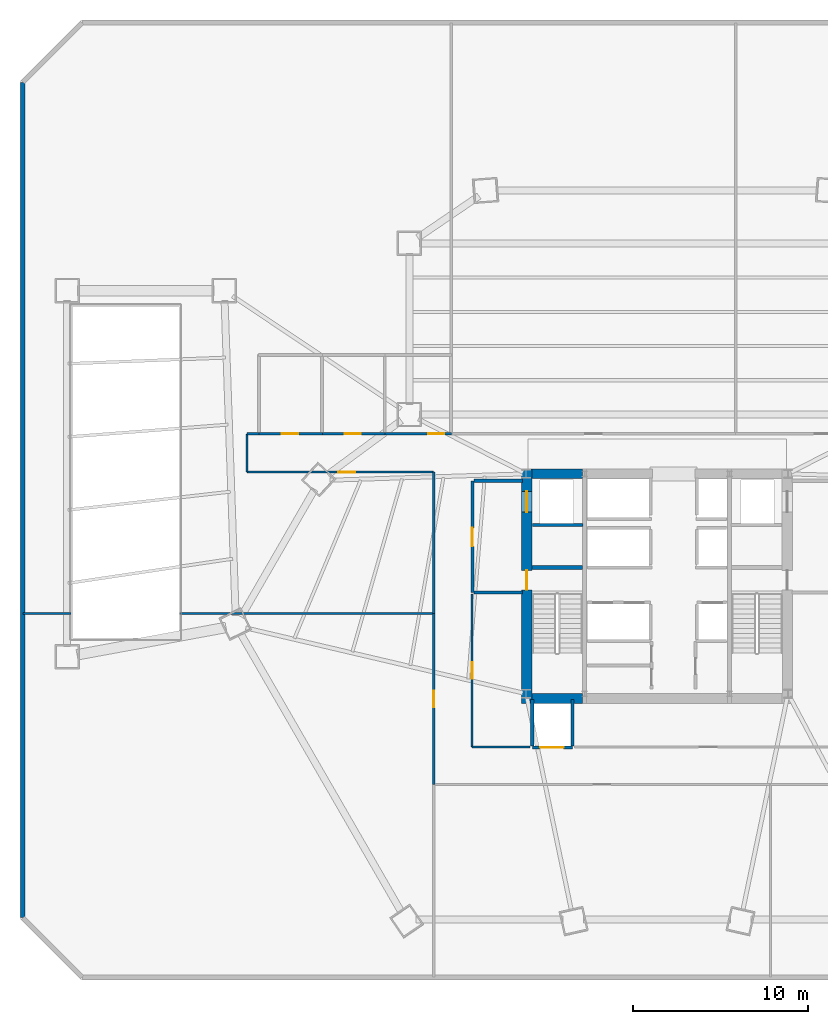
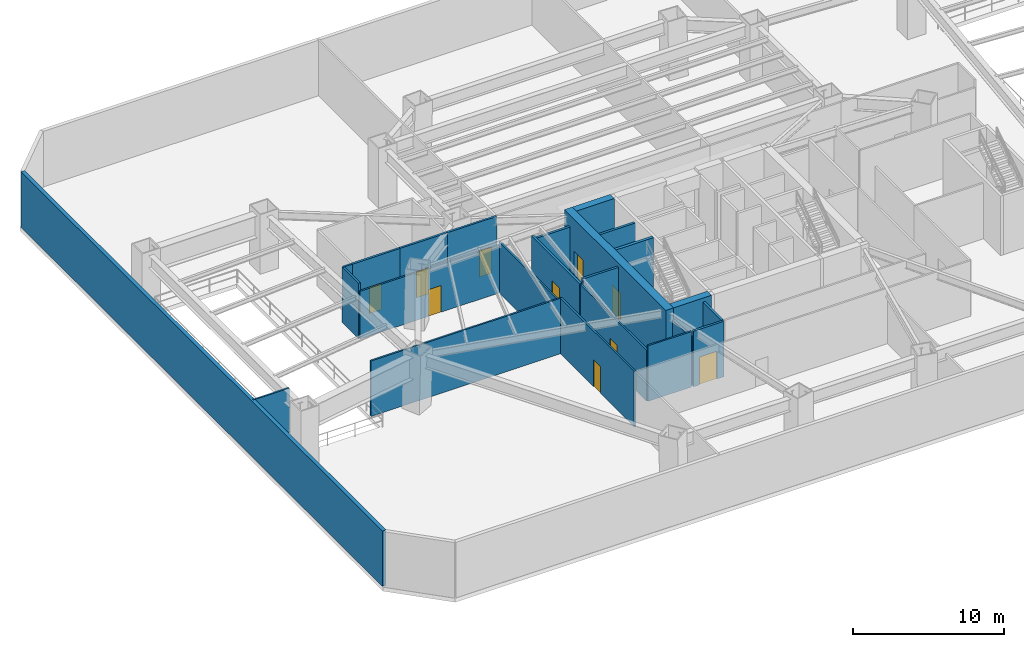
# One storey, part 5 of 11: 24 walls, 10 doors, 10 openings.
"""IFC4 building model written with IfcOpenShell, lengths in metres."""

from ifc_helpers import new_model, si_unit, direction, frame, frame_2d, origin, place, context, subcontext, project, spatial, rectangle, extrude, material, layer, layer_set, type_object, element, fill, save


model = new_model("IFC4")

# Units and contexts
model_context = context("Model", 3, precision=1e-05, world=origin(), true_north=direction((0.0, 1.0)))
body_context = subcontext(model_context, "Body", "Model", "MODEL_VIEW")
ifc_project = project(units=[si_unit("LENGTHUNIT", "METRE"), si_unit("AREAUNIT", "SQUARE_METRE"), si_unit("VOLUMEUNIT", "CUBIC_METRE"), si_unit("PLANEANGLEUNIT", "RADIAN"), si_unit("MASSUNIT", "GRAM", prefix="KILO")], contexts=[model_context])

# Site, building, storey
site_placement = place(None, origin())
site = spatial("IfcSite", under=ifc_project, at=site_placement, CompositionType="ELEMENT")
building_placement = place(site_placement, origin())
building = spatial("IfcBuilding", under=site, at=building_placement, Name="Caelisora Broadcast Tower", CompositionType="ELEMENT")
storey_placement = place(building_placement, frame((0.0, 0.0, 5.39990234375)))
storey = spatial("IfcBuildingStorey", under=building, at=storey_placement, Name="L01", CompositionType="ELEMENT", Elevation=5.39990234375)

# Wall, openings, doors
ifc_material_1 = material(Name="Concrete 65 MPa (AS 3600 S65)", Category="concrete")
ifc_layer_1 = layer(ifc_material_1, 0.60009765625, Name="Concrete 65 MPa (AS 3600 S65)")
ifc_layer_set_1 = layer_set([ifc_layer_1], Name="Concrete 65 MPa (AS 3600 S65)")
wall_type_1 = type_object("IfcWallType", Name="CW1", PredefinedType="SHEAR", material=ifc_layer_set_1)
wall_1_placement = place(storey_placement, frame((30.5400390625, 16.85009765625, 0.0), z_axis=(0.0, 0.0, 1.0), x_axis=(0.0, 1.0, 0.0)))
wall_1 = element("IfcWall", 1, at=wall_1_placement, inside=storey, type_object=wall_type_1, Name="L01 core shear wall CW1", PredefinedType="SHEAR", context=body_context, shape_type="SweptSolid", body=[
    extrude(rectangle(XDim=13.4248046875, YDim=0.60009765625, at=frame_2d((6.71240234375, 0.0))), origin(), (0.0, 0.0, 1.0), 4.800048828125),
])
opening_1_placement = place(wall_1_placement, frame((6.5, 0.0, 0.0)))
opening_1 = element("IfcOpeningElement", 2, at=opening_1_placement, cuts=wall_1, Name="Opening FD04", PredefinedType="OPENING", context=body_context, shape_type="SweptSolid", body=[
    extrude(rectangle(XDim=1.1201171875, YDim=2.14990234375, at=frame_2d((0.56005859375, 1.074951171875))), frame((0.0, 0.31201171875, 0.0), z_axis=(0.0, -1.0, 0.0), x_axis=(1.0, 0.0, 0.0)), (0.0, 0.0, 1.0), 0.6240234375),
])
opening_2_placement = place(wall_1_placement, frame((10.949951171875, 0.0, 0.0)))
opening_2 = element("IfcOpeningElement", 3, at=opening_2_placement, cuts=wall_1, Name="Opening LD04", PredefinedType="OPENING", context=body_context, shape_type="SweptSolid", body=[
    extrude(rectangle(XDim=1.199951171875, YDim=2.199951171875, at=frame_2d((0.60009765625, 1.10009765625))), frame((0.0, 0.31201171875, 0.0), z_axis=(0.0, -1.0, 0.0), x_axis=(1.0, 0.0, 0.0)), (0.0, 0.0, 1.0), 0.6240234375),
])
ifc_material_2 = material(Name="Pressurised Fire-Isolated Stair Door", Category="steel")
door_type_1 = type_object("IfcDoorType", Name="FD04", OperationType="NOTDEFINED", PredefinedType="DOOR", material=ifc_material_2)
door_1_placement = place(opening_1_placement, origin())
door_1 = element("IfcDoor", 4, at=door_1_placement, inside=storey, type_object=door_type_1, Name="L01 door FD04 (L01-DR-ST1)", OperationType="SINGLE_SWING_LEFT", OverallHeight=2.14990234375, OverallWidth=1.1201171875, PredefinedType="DOOR", context=body_context, shape_type="SweptSolid", body=[
    extrude(rectangle(XDim=1.1201171875, YDim=2.14990234375, at=frame_2d((0.56005859375, 1.074951171875))), frame((0.0, 0.02490234375, 0.0), z_axis=(0.0, -1.0, 0.0), x_axis=(1.0, 0.0, 0.0)), (0.0, 0.0, 1.0), 0.050048828125),
])
fill(opening_1, door_1)
ifc_material_3 = material(Name="Emergency Firefighting Lift Sliding Landing Door", Category="steel")
door_type_2 = type_object("IfcDoorType", Name="LD04", OperationType="NOTDEFINED", PredefinedType="DOOR", material=ifc_material_3)
door_2_placement = place(opening_2_placement, origin())
door_2 = element("IfcDoor", 5, at=door_2_placement, inside=storey, type_object=door_type_2, Name="L01 door LD04 (L01-LD-FFL1)", OperationType="SLIDING_TO_LEFT", OverallHeight=2.199951171875, OverallWidth=1.199951171875, PredefinedType="DOOR", context=body_context, shape_type="SweptSolid", body=[
    extrude(rectangle(XDim=1.199951171875, YDim=2.199951171875, at=frame_2d((0.60009765625, 1.10009765625))), frame((0.0, 0.02490234375, 0.0), z_axis=(0.0, -1.0, 0.0), x_axis=(1.0, 0.0, 0.0)), (0.0, 0.0, 1.0), 0.050048828125),
])
fill(opening_2, door_2)

# Walls
ifc_layer_2 = layer(ifc_material_1, 0.550048828125, Name="Concrete 65 MPa (AS 3600 S65)")
ifc_layer_set_2 = layer_set([ifc_layer_2], Name="Concrete 65 MPa (AS 3600 S65)")
wall_type_2 = type_object("IfcWallType", Name="CW4", PredefinedType="SHEAR", material=ifc_layer_set_2)
for number, where, z_axis, x_axis, name in (
    (6, (30.840087890625, 17.125, 0.0), (0.0, 0.0, 1.0), (1.0, 0.0, 0.0), "L01 core shear wall CW4"),
    (7, (30.840087890625, 30.0, 0.0), (0.0, 0.0, 1.0), (1.0, 0.0, 0.0), "L01 core shear wall CW4"),
):
    element("IfcWall", number, at=place(storey_placement, frame(where, z_axis=z_axis, x_axis=x_axis)), inside=storey, type_object=wall_type_2, Name=name, PredefinedType="SHEAR", context=body_context, shape_type="SweptSolid", body=[
        extrude(rectangle(XDim=2.89990234375, YDim=0.550048828125, at=frame_2d((1.449951171875, 0.0))), origin(), (0.0, 0.0, 1.0), 4.800048828125),
    ])
ifc_material_4 = material(Name="Concrete 50 MPa (AS 3600 S50)", Category="concrete")
ifc_layer_3 = layer(ifc_material_4, 0.219970703125, Name="Concrete 50 MPa (AS 3600 S50)")
ifc_layer_set_3 = layer_set([ifc_layer_3], Name="Concrete 50 MPa (AS 3600 S50)")
wall_type_3 = type_object("IfcWallType", Name="CW7", PredefinedType="SHEAR", material=ifc_layer_set_3)
wall_2_placement = place(storey_placement, frame((30.840087890625, 24.639892578125, 0.0), z_axis=(0.0, 0.0, 1.0), x_axis=(1.0, 0.0, 0.0)))
element("IfcWall", 8, at=wall_2_placement, inside=storey, type_object=wall_type_3, Name="L01 core shear wall CW7", PredefinedType="SHEAR", context=body_context, shape_type="SweptSolid", body=[
    extrude(rectangle(XDim=2.89990234375, YDim=0.219970703125, at=frame_2d((1.449951171875, 0.0))), origin(), (0.0, 0.0, 1.0), 4.800048828125),
])
ifc_material_5 = material(Name="Insulated Terracotta Spandrel Wall System", Category="masonry")
ifc_layer_4 = layer(ifc_material_5, 0.280029296875, Name="Insulated Terracotta Spandrel Wall System")
ifc_layer_set_4 = layer_set([ifc_layer_4], Name="Insulated Terracotta Spandrel Wall System")
wall_type_4 = type_object("IfcWallType", Name="EW1", PredefinedType="STANDARD", material=ifc_layer_set_4)
wall_3_placement = place(storey_placement, frame((1.659912109375, 4.5859375, 0.0), z_axis=(0.0, 0.0, 1.0), x_axis=(0.0, 1.0, 0.0)))
element("IfcWall", 9, at=wall_3_placement, inside=storey, type_object=wall_type_4, Name="L01 exterior envelope wall EW1", PredefinedType="STANDARD", context=body_context, shape_type="SweptSolid", body=[
    extrude(rectangle(XDim=47.828125, YDim=0.280029296875, at=frame_2d((23.9140625, 0.0))), origin(), (0.0, 0.0, 1.0), 4.47998046875),
])

# Wall, opening, door
ifc_material_6 = material(Name="Fire-Rated Gypsum Shaft and Compartment Wall", Category="gypsum")
ifc_layer_5 = layer(ifc_material_6, 0.179931640625, Name="Fire-Rated Gypsum Shaft and Compartment Wall")
ifc_layer_set_5 = layer_set([ifc_layer_5], Name="Fire-Rated Gypsum Shaft and Compartment Wall")
wall_type_5 = type_object("IfcWallType", Name="PW2", PredefinedType="PARTITIONING", material=ifc_layer_set_5)
wall_4_placement = place(storey_placement, frame((30.85009765625, 14.320068359375, 0.0), z_axis=(0.0, 0.0, 1.0), x_axis=(1.0, 0.0, 0.0)))
wall_4 = element("IfcWall", 10, at=wall_4_placement, inside=storey, type_object=wall_type_5, Name="L01 fire compartment wall PW2", PredefinedType="PARTITIONING", context=body_context, shape_type="SweptSolid", body=[
    extrude(rectangle(XDim=2.2998046875, YDim=0.179931640625, at=frame_2d((1.14990234375, 0.0))), origin(), (0.0, 0.0, 1.0), 4.47998046875),
])
opening_3_placement = place(wall_4_placement, frame((0.449951171875, 0.0, 0.0)))
opening_3 = element("IfcOpeningElement", 11, at=opening_3_placement, cuts=wall_4, Name="Opening LD03", PredefinedType="OPENING", context=body_context, shape_type="SweptSolid", body=[
    extrude(rectangle(XDim=1.35009765625, YDim=2.25, at=frame_2d((0.675048828125, 1.125))), frame((0.0, 0.10205078125, 0.0), z_axis=(0.0, -1.0, 0.0), x_axis=(1.0, 0.0, 0.0)), (0.0, 0.0, 1.0), 0.203857421875),
])
ifc_material_7 = material(Name="Heavy-Duty Goods Lift Sliding Landing Door", Category="steel")
door_type_3 = type_object("IfcDoorType", Name="LD03", OperationType="NOTDEFINED", PredefinedType="DOOR", material=ifc_material_7)
door_3_placement = place(opening_3_placement, origin())
door_3 = element("IfcDoor", 12, at=door_3_placement, inside=storey, type_object=door_type_3, Name="L01 door LD03 (L01-LD-GL1)", OperationType="SLIDING_TO_LEFT", OverallHeight=2.25, OverallWidth=1.35009765625, PredefinedType="DOOR", context=body_context, shape_type="SweptSolid", body=[
    extrude(rectangle(XDim=1.35009765625, YDim=2.25, at=frame_2d((0.675048828125, 1.125))), frame((0.0, 0.02490234375, 0.0), z_axis=(0.0, -1.0, 0.0), x_axis=(1.0, 0.0, 0.0)), (0.0, 0.0, 1.0), 0.050048828125),
])
fill(opening_3, door_3)

# Walls
wall_5_placement = place(storey_placement, frame((30.85009765625, 14.419921875, 0.0), z_axis=(0.0, 0.0, 1.0), x_axis=(0.0, 1.0, 0.0)))
element("IfcWall", 13, at=wall_5_placement, inside=storey, type_object=wall_type_5, Name="L01 fire compartment wall PW2", PredefinedType="PARTITIONING", context=body_context, shape_type="SweptSolid", body=[
    extrude(rectangle(XDim=2.66015625, YDim=0.179931640625, at=frame_2d((1.330078125, 0.0))), origin(), (0.0, 0.0, 1.0), 3.853515625),
])
wall_6_placement = place(storey_placement, frame((33.14990234375, 14.419921875, 0.0), z_axis=(0.0, 0.0, 1.0), x_axis=(0.0, 1.0, 0.0)))
element("IfcWall", 14, at=wall_6_placement, inside=storey, type_object=wall_type_5, Name="L01 fire compartment wall PW2", PredefinedType="PARTITIONING", context=body_context, shape_type="SweptSolid", body=[
    extrude(rectangle(XDim=2.66015625, YDim=0.179931640625, at=frame_2d((1.330078125, 0.0))), origin(), (0.0, 0.0, 1.0), 4.47998046875),
])

# Wall, opening, door
wall_7_placement = place(storey_placement, frame((27.419921875, 23.199951171875, 0.0), z_axis=(0.0, 0.0, 1.0), x_axis=(0.0, 1.0, 0.0)))
wall_7 = element("IfcWall", 15, at=wall_7_placement, inside=storey, type_object=wall_type_5, Name="L01 fire compartment wall PW2", PredefinedType="PARTITIONING", context=body_context, shape_type="SweptSolid", body=[
    extrude(rectangle(XDim=6.400146484375, YDim=0.179931640625, at=frame_2d((3.2001953125, 0.0))), origin(), (0.0, 0.0, 1.0), 4.1064453125),
])
opening_4_placement = place(wall_7_placement, frame((2.64990234375, 0.0, 0.0)))
opening_4 = element("IfcOpeningElement", 16, at=opening_4_placement, cuts=wall_7, Name="Opening FD02", PredefinedType="OPENING", context=body_context, shape_type="SweptSolid", body=[
    extrude(rectangle(XDim=1.050048828125, YDim=2.14990234375, at=frame_2d((0.52490234375, 1.074951171875))), frame((0.0, 0.10205078125, 0.0), z_axis=(0.0, -1.0, 0.0), x_axis=(1.0, 0.0, 0.0)), (0.0, 0.0, 1.0), 0.203857421875),
])
ifc_material_8 = material(Name="Single-Leaf Steel Fire Lobby Door", Category="steel")
door_type_4 = type_object("IfcDoorType", Name="FD02", OperationType="NOTDEFINED", PredefinedType="DOOR", material=ifc_material_8)
door_4_placement = place(opening_4_placement, origin())
door_4 = element("IfcDoor", 17, at=door_4_placement, inside=storey, type_object=door_type_4, Name="L01 door FD02 (L01-DR-P01D1)", OperationType="SINGLE_SWING_RIGHT", OverallHeight=2.14990234375, OverallWidth=1.050048828125, PredefinedType="DOOR", context=body_context, shape_type="SweptSolid", body=[
    extrude(rectangle(XDim=1.050048828125, YDim=2.14990234375, at=frame_2d((0.52490234375, 1.074951171875))), frame((0.0, 0.02490234375, 0.0), z_axis=(0.0, -1.0, 0.0), x_axis=(1.0, 0.0, 0.0)), (0.0, 0.0, 1.0), 0.050048828125),
])
fill(opening_4, door_4)

# Walls
wall_8_placement = place(storey_placement, frame((27.52001953125, 23.199951171875, 0.0), z_axis=(0.0, 0.0, 1.0), x_axis=(1.0, 0.0, 0.0)))
element("IfcWall", 18, at=wall_8_placement, inside=storey, type_object=wall_type_5, Name="L01 fire compartment wall PW2", PredefinedType="PARTITIONING", context=body_context, shape_type="SweptSolid", body=[
    extrude(rectangle(XDim=2.760009765625, YDim=0.179931640625, at=frame_2d((1.3798828125, 0.0))), origin(), (0.0, 0.0, 1.0), 4.47998046875),
])
wall_9_placement = place(storey_placement, frame((27.52001953125, 29.60009765625, 0.0), z_axis=(0.0, 0.0, 1.0), x_axis=(1.0, 0.0, 0.0)))
element("IfcWall", 19, at=wall_9_placement, inside=storey, type_object=wall_type_5, Name="L01 fire compartment wall PW2", PredefinedType="PARTITIONING", context=body_context, shape_type="SweptSolid", body=[
    extrude(rectangle(XDim=2.760009765625, YDim=0.179931640625, at=frame_2d((1.3798828125, 0.0))), origin(), (0.0, 0.0, 1.0), 3.853515625),
])
wall_10_placement = place(storey_placement, frame((30.860107421875, 27.070068359375, 0.0), z_axis=(0.0, 0.0, 1.0), x_axis=(1.0, 0.0, 0.0)))
element("IfcWall", 20, at=wall_10_placement, inside=storey, type_object=wall_type_5, Name="L01 fire compartment wall PW2", PredefinedType="PARTITIONING", context=body_context, shape_type="SweptSolid", body=[
    extrude(rectangle(XDim=2.89990234375, YDim=0.179931640625, at=frame_2d((1.449951171875, 0.0))), origin(), (0.0, 0.0, 1.0), 4.47998046875),
])
ifc_material_9 = material(Name="Acoustic Steel-Stud Plasterboard Partition", Category="gypsum")
ifc_layer_6 = layer(ifc_material_9, 0.1298828125, Name="Acoustic Steel-Stud Plasterboard Partition")
ifc_layer_set_6 = layer_set([ifc_layer_6], Name="Acoustic Steel-Stud Plasterboard Partition")
wall_type_6 = type_object("IfcWallType", Name="PW3", PredefinedType="PARTITIONING", material=ifc_layer_set_6)
wall_11_placement = place(storey_placement, frame((10.675048828125, 22.0, 0.0), z_axis=(0.0, 0.0, 1.0), x_axis=(1.0, 0.0, 0.0)))
element("IfcWall", 21, at=wall_11_placement, inside=storey, type_object=wall_type_6, Name="L01 internal partition PW3", PredefinedType="PARTITIONING", context=body_context, shape_type="SweptSolid", body=[
    extrude(rectangle(XDim=14.52001953125, YDim=0.1298828125, at=frame_2d((7.260009765625, 0.0))), origin(), (0.0, 0.0, 1.0), 4.47998046875),
])

# Wall, opening, door
wall_12_placement = place(storey_placement, frame((25.195068359375, 30.10009765625, 0.0), z_axis=(0.0, 0.0, 1.0), x_axis=(-1.0, 0.0, 0.0)))
wall_12 = element("IfcWall", 22, at=wall_12_placement, inside=storey, type_object=wall_type_6, Name="L01 internal partition PW3", PredefinedType="PARTITIONING", context=body_context, shape_type="SweptSolid", body=[
    extrude(rectangle(XDim=10.690185546875, YDim=0.1298828125, at=frame_2d((5.34521484375, 0.0))), origin(), (0.0, 0.0, 1.0), 3.853515625),
])
opening_5_placement = place(wall_12_placement, frame((4.5, 0.0, 0.0)))
opening_5 = element("IfcOpeningElement", 23, at=opening_5_placement, cuts=wall_12, Name="Opening D01", PredefinedType="OPENING", context=body_context, shape_type="SweptSolid", body=[
    extrude(rectangle(XDim=0.9599609375, YDim=2.14990234375, at=frame_2d((0.47998046875, 1.074951171875))), frame((0.0, 0.076904296875, 0.0), z_axis=(0.0, -1.0, 0.0), x_axis=(1.0, 0.0, 0.0)), (0.0, 0.0, 1.0), 0.15380859375),
])
ifc_material_10 = material(Name="Solid-Core Timber Acoustic Office Door", Category="wood")
door_type_5 = type_object("IfcDoorType", Name="D01", OperationType="NOTDEFINED", PredefinedType="DOOR", material=ifc_material_10)
door_5_placement = place(opening_5_placement, origin())
door_5 = element("IfcDoor", 24, at=door_5_placement, inside=storey, type_object=door_type_5, Name="L01 door D01 (L01-DR-P35D1)", OperationType="SINGLE_SWING_RIGHT", OverallHeight=2.14990234375, OverallWidth=0.9599609375, PredefinedType="DOOR", context=body_context, shape_type="SweptSolid", body=[
    extrude(rectangle(XDim=0.9599609375, YDim=2.14990234375, at=frame_2d((0.47998046875, 1.074951171875))), frame((0.0, 0.02490234375, 0.0), z_axis=(0.0, -1.0, 0.0), x_axis=(1.0, 0.0, 0.0)), (0.0, 0.0, 1.0), 0.050048828125),
])
fill(opening_5, door_5)

wall_13_placement = place(storey_placement, frame((25.199951171875, 12.205078125, 0.0), z_axis=(0.0, 0.0, 1.0), x_axis=(0.0, 1.0, 0.0)))
wall_13 = element("IfcWall", 25, at=wall_13_placement, inside=storey, type_object=wall_type_6, Name="L01 internal partition PW3", PredefinedType="PARTITIONING", context=body_context, shape_type="SweptSolid", body=[
    extrude(rectangle(XDim=9.7900390625, YDim=0.1298828125, at=frame_2d((4.89501953125, 0.0))), origin(), (0.0, 0.0, 1.0), 4.47998046875),
])
opening_6_placement = place(wall_13_placement, frame((4.4150390625, 0.0, 0.0)))
opening_6 = element("IfcOpeningElement", 26, at=opening_6_placement, cuts=wall_13, Name="Opening D01", PredefinedType="OPENING", context=body_context, shape_type="SweptSolid", body=[
    extrude(rectangle(XDim=0.9599609375, YDim=2.14990234375, at=frame_2d((0.47998046875, 1.074951171875))), frame((0.0, 0.076904296875, 0.0), z_axis=(0.0, -1.0, 0.0), x_axis=(1.0, 0.0, 0.0)), (0.0, 0.0, 1.0), 0.15380859375),
])
door_6_placement = place(opening_6_placement, origin())
door_6 = element("IfcDoor", 27, at=door_6_placement, inside=storey, type_object=door_type_5, Name="L01 door D01 (L01-DR-P38D1)", OperationType="SINGLE_SWING_RIGHT", OverallHeight=2.14990234375, OverallWidth=0.9599609375, PredefinedType="DOOR", context=body_context, shape_type="SweptSolid", body=[
    extrude(rectangle(XDim=0.9599609375, YDim=2.14990234375, at=frame_2d((0.47998046875, 1.074951171875))), frame((0.0, 0.02490234375, 0.0), z_axis=(0.0, -1.0, 0.0), x_axis=(1.0, 0.0, 0.0)), (0.0, 0.0, 1.0), 0.050048828125),
])
fill(opening_6, door_6)

wall_14_placement = place(storey_placement, frame((27.39990234375, 14.35498046875, 0.0), z_axis=(0.0, 0.0, 1.0), x_axis=(0.0, 1.0, 0.0)))
wall_14 = element("IfcWall", 28, at=wall_14_placement, inside=storey, type_object=wall_type_6, Name="L01 internal partition PW3", PredefinedType="PARTITIONING", context=body_context, shape_type="SweptSolid", body=[
    extrude(rectangle(XDim=8.75, YDim=0.1298828125, at=frame_2d((4.375, 0.0))), origin(), (0.0, 0.0, 1.0), 4.1064453125),
])
opening_7_placement = place(wall_14_placement, frame((3.89501953125, 0.0, 0.0)))
opening_7 = element("IfcOpeningElement", 29, at=opening_7_placement, cuts=wall_14, Name="Opening D01", PredefinedType="OPENING", context=body_context, shape_type="SweptSolid", body=[
    extrude(rectangle(XDim=0.9599609375, YDim=2.14990234375, at=frame_2d((0.47998046875, 1.074951171875))), frame((0.0, 0.076904296875, 0.0), z_axis=(0.0, -1.0, 0.0), x_axis=(1.0, 0.0, 0.0)), (0.0, 0.0, 1.0), 0.15380859375),
])
door_7_placement = place(opening_7_placement, origin())
door_7 = element("IfcDoor", 30, at=door_7_placement, inside=storey, type_object=door_type_5, Name="L01 door D01 (L01-DR-P40D1)", OperationType="SINGLE_SWING_LEFT", OverallHeight=2.14990234375, OverallWidth=0.9599609375, PredefinedType="DOOR", context=body_context, shape_type="SweptSolid", body=[
    extrude(rectangle(XDim=0.9599609375, YDim=2.14990234375, at=frame_2d((0.47998046875, 1.074951171875))), frame((0.0, 0.02490234375, 0.0), z_axis=(0.0, -1.0, 0.0), x_axis=(1.0, 0.0, 0.0)), (0.0, 0.0, 1.0), 0.050048828125),
])
fill(opening_7, door_7)

# Walls
wall_15_placement = place(storey_placement, frame((25.199951171875, 22.0048828125, 0.0), z_axis=(0.0, 0.0, 1.0), x_axis=(0.0, 1.0, 0.0)))
element("IfcWall", 31, at=wall_15_placement, inside=storey, type_object=wall_type_6, Name="L01 internal partition PW3", PredefinedType="PARTITIONING", context=body_context, shape_type="SweptSolid", body=[
    extrude(rectangle(XDim=8.090087890625, YDim=0.1298828125, at=frame_2d((4.044921875, 0.0))), origin(), (0.0, 0.0, 1.0), 4.1064453125),
])
wall_16_placement = place(storey_placement, frame((30.72509765625, 14.35009765625, 0.0), z_axis=(0.0, 0.0, 1.0), x_axis=(-1.0, 0.0, 0.0)))
element("IfcWall", 32, at=wall_16_placement, inside=storey, type_object=wall_type_6, Name="L01 internal partition PW3", PredefinedType="PARTITIONING", context=body_context, shape_type="SweptSolid", body=[
    extrude(rectangle(XDim=3.320068359375, YDim=0.1298828125, at=frame_2d((1.66015625, 0.0))), origin(), (0.0, 0.0, 1.0), 4.47998046875),
])
wall_17_placement = place(storey_placement, frame((1.659912109375, 22.0, 0.0), z_axis=(0.0, 0.0, 1.0), x_axis=(1.0, 0.0, 0.0)))
element("IfcWall", 33, at=wall_17_placement, inside=storey, type_object=wall_type_6, Name="L01 internal partition PW3", PredefinedType="PARTITIONING", context=body_context, shape_type="SweptSolid", body=[
    extrude(rectangle(XDim=2.76513671875, YDim=0.1298828125, at=frame_2d((1.382568359375, 0.0))), origin(), (0.0, 0.0, 1.0), 4.47998046875),
])
wall_18_placement = place(storey_placement, frame((14.5, 30.10498046875, 0.0), z_axis=(0.0, 0.0, 1.0), x_axis=(0.0, 1.0, 0.0)))
element("IfcWall", 34, at=wall_18_placement, inside=storey, type_object=wall_type_6, Name="L01 internal partition PW3", PredefinedType="PARTITIONING", context=body_context, shape_type="SweptSolid", body=[
    extrude(rectangle(XDim=2.18994140625, YDim=0.1298828125, at=frame_2d((1.094970703125, 0.0))), origin(), (0.0, 0.0, 1.0), 4.47998046875),
])
wall_19_placement = place(storey_placement, frame((14.5048828125, 32.300048828125, 0.0), z_axis=(0.0, 0.0, 1.0), x_axis=(1.0, 0.0, 0.0)))
element("IfcWall", 35, at=wall_19_placement, inside=storey, type_object=wall_type_6, Name="L01 internal partition PW3", PredefinedType="PARTITIONING", context=body_context, shape_type="SweptSolid", body=[
    extrude(rectangle(XDim=0.690185546875, YDim=0.1298828125, at=frame_2d((0.34521484375, 0.0))), origin(), (0.0, 0.0, 1.0), 4.47998046875),
])

# Wall, opening, door
ifc_material_11 = material(Name="Moisture-Resistant Wet Plumbing Service Wall", Category="gypsum")
ifc_layer_7 = layer(ifc_material_11, 0.159912109375, Name="Moisture-Resistant Wet Plumbing Service Wall")
ifc_layer_set_7 = layer_set([ifc_layer_7], Name="Moisture-Resistant Wet Plumbing Service Wall")
wall_type_7 = type_object("IfcWallType", Name="PW4", PredefinedType="PLUMBINGWALL", material=ifc_layer_set_7)
wall_20_placement = place(storey_placement, frame((22.375, 32.300048828125, 0.0), z_axis=(0.0, 0.0, 1.0), x_axis=(1.0, 0.0, 0.0)))
wall_20 = element("IfcWall", 36, at=wall_20_placement, inside=storey, type_object=wall_type_7, Name="L01 wet plumbing wall PW4", PredefinedType="PLUMBINGWALL", context=body_context, shape_type="SweptSolid", body=[
    extrude(rectangle(XDim=3.85009765625, YDim=0.159912109375, at=frame_2d((1.925048828125, 0.0))), origin(), (0.0, 0.0, 1.0), 4.47998046875),
])
opening_8_placement = place(wall_20_placement, frame((2.52001953125, 0.0, 0.0)))
opening_8 = element("IfcOpeningElement", 37, at=opening_8_placement, cuts=wall_20, Name="Opening D03", PredefinedType="OPENING", context=body_context, shape_type="SweptSolid", body=[
    extrude(rectangle(XDim=0.919921875, YDim=2.10009765625, at=frame_2d((0.4599609375, 1.050048828125))), frame((0.0, 0.092041015625, 0.0), z_axis=(0.0, -1.0, 0.0), x_axis=(1.0, 0.0, 0.0)), (0.0, 0.0, 1.0), 0.183837890625),
])
ifc_material_12 = material(Name="Laminate Moisture-Resistant Amenity WC Door", Category="wood")
door_type_6 = type_object("IfcDoorType", Name="D03", OperationType="NOTDEFINED", PredefinedType="DOOR", material=ifc_material_12)
door_8_placement = place(opening_8_placement, origin())
door_8 = element("IfcDoor", 38, at=door_8_placement, inside=storey, type_object=door_type_6, Name="L01 door D03 (L01-DR-P18D1)", OperationType="SINGLE_SWING_LEFT", OverallHeight=2.10009765625, OverallWidth=0.919921875, PredefinedType="DOOR", context=body_context, shape_type="SweptSolid", body=[
    extrude(rectangle(XDim=0.919921875, YDim=2.10009765625, at=frame_2d((0.4599609375, 1.050048828125))), frame((0.0, 0.02490234375, 0.0), z_axis=(0.0, -1.0, 0.0), x_axis=(1.0, 0.0, 0.0)), (0.0, 0.0, 1.0), 0.050048828125),
])
fill(opening_8, door_8)

wall_21_placement = place(storey_placement, frame((15.175048828125, 32.300048828125, 0.0), z_axis=(0.0, 0.0, 1.0), x_axis=(1.0, 0.0, 0.0)))
wall_21 = element("IfcWall", 39, at=wall_21_placement, inside=storey, type_object=wall_type_7, Name="L01 wet plumbing wall PW4", PredefinedType="PLUMBINGWALL", context=body_context, shape_type="SweptSolid", body=[
    extrude(rectangle(XDim=3.64990234375, YDim=0.159912109375, at=frame_2d((1.824951171875, 0.0))), origin(), (0.0, 0.0, 1.0), 4.47998046875),
])
opening_9_placement = place(wall_21_placement, frame((1.3349609375, 0.0, 0.0)))
opening_9 = element("IfcOpeningElement", 40, at=opening_9_placement, cuts=wall_21, Name="Opening D03", PredefinedType="OPENING", context=body_context, shape_type="SweptSolid", body=[
    extrude(rectangle(XDim=0.919921875, YDim=2.10009765625, at=frame_2d((0.4599609375, 1.050048828125))), frame((0.0, 0.092041015625, 0.0), z_axis=(0.0, -1.0, 0.0), x_axis=(1.0, 0.0, 0.0)), (0.0, 0.0, 1.0), 0.183837890625),
])
door_9_placement = place(opening_9_placement, origin())
door_9 = element("IfcDoor", 41, at=door_9_placement, inside=storey, type_object=door_type_6, Name="L01 door D03 (L01-DR-P20D1)", OperationType="SINGLE_SWING_RIGHT", OverallHeight=2.10009765625, OverallWidth=0.919921875, PredefinedType="DOOR", context=body_context, shape_type="SweptSolid", body=[
    extrude(rectangle(XDim=0.919921875, YDim=2.10009765625, at=frame_2d((0.4599609375, 1.050048828125))), frame((0.0, 0.02490234375, 0.0), z_axis=(0.0, -1.0, 0.0), x_axis=(1.0, 0.0, 0.0)), (0.0, 0.0, 1.0), 0.050048828125),
])
fill(opening_9, door_9)

wall_22_placement = place(storey_placement, frame((18.77490234375, 32.300048828125, 0.0), z_axis=(0.0, 0.0, 1.0), x_axis=(1.0, 0.0, 0.0)))
wall_22 = element("IfcWall", 42, at=wall_22_placement, inside=storey, type_object=wall_type_7, Name="L01 wet plumbing wall PW4", PredefinedType="PLUMBINGWALL", context=body_context, shape_type="SweptSolid", body=[
    extrude(rectangle(XDim=3.650146484375, YDim=0.159912109375, at=frame_2d((1.8251953125, 0.0))), origin(), (0.0, 0.0, 1.0), 4.47998046875),
])
opening_10_placement = place(wall_22_placement, frame((1.3349609375, 0.0, 0.0)))
opening_10 = element("IfcOpeningElement", 43, at=opening_10_placement, cuts=wall_22, Name="Opening D03", PredefinedType="OPENING", context=body_context, shape_type="SweptSolid", body=[
    extrude(rectangle(XDim=0.919921875, YDim=2.10009765625, at=frame_2d((0.4599609375, 1.050048828125))), frame((0.0, 0.092041015625, 0.0), z_axis=(0.0, -1.0, 0.0), x_axis=(1.0, 0.0, 0.0)), (0.0, 0.0, 1.0), 0.183837890625),
])
door_10_placement = place(opening_10_placement, origin())
door_10 = element("IfcDoor", 44, at=door_10_placement, inside=storey, type_object=door_type_6, Name="L01 door D03 (L01-DR-P22D1)", OperationType="SINGLE_SWING_LEFT", OverallHeight=2.10009765625, OverallWidth=0.919921875, PredefinedType="DOOR", context=body_context, shape_type="SweptSolid", body=[
    extrude(rectangle(XDim=0.919921875, YDim=2.10009765625, at=frame_2d((0.4599609375, 1.050048828125))), frame((0.0, 0.02490234375, 0.0), z_axis=(0.0, -1.0, 0.0), x_axis=(1.0, 0.0, 0.0)), (0.0, 0.0, 1.0), 0.050048828125),
])
fill(opening_10, door_10)

save(model, "model.ifc")
